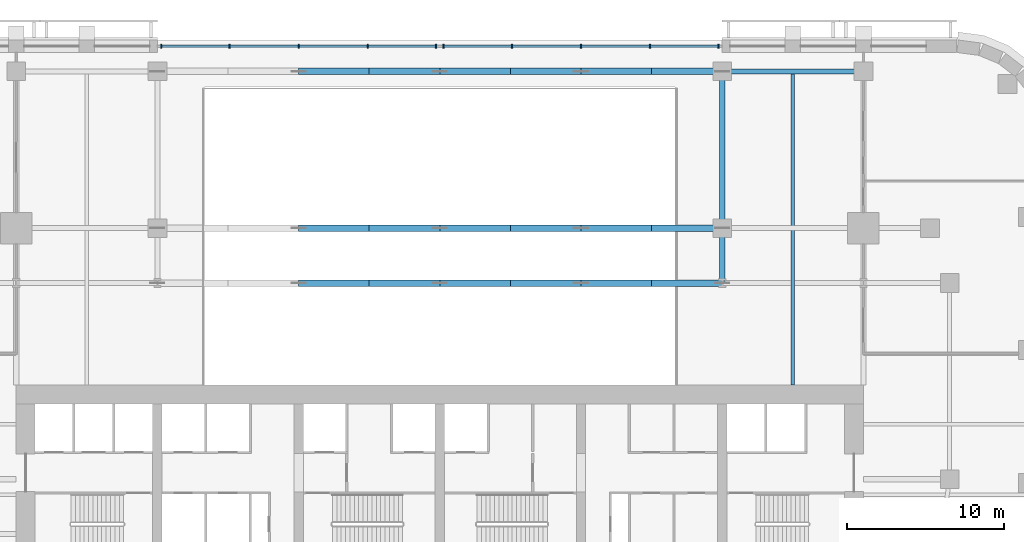
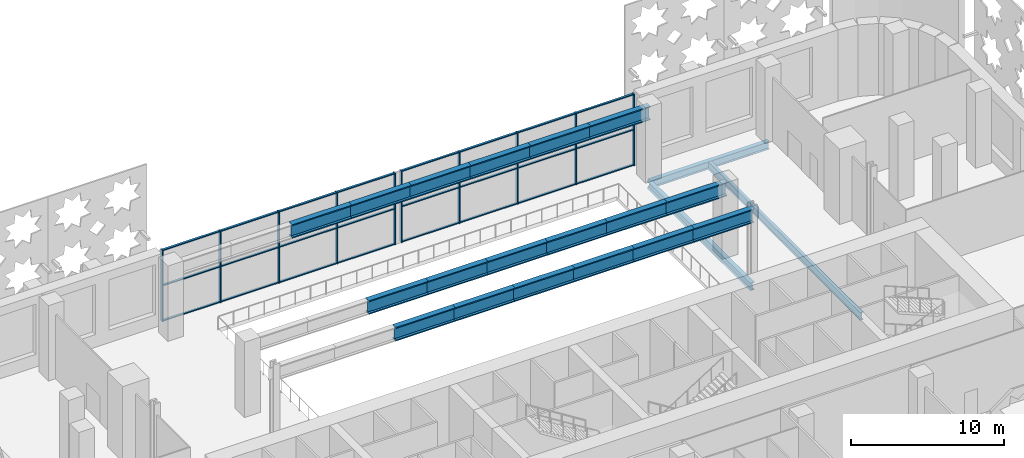
# One storey, part 2 of 17: 52 members, 3 beams, 2 elements without a shape of their own.
"""IFC4 building model written with IfcOpenShell, lengths in metres."""

import ifcopenshell
import ifcopenshell.guid

model = None  # the IFC model being written
_history = None  # IfcOwnerHistory: only IFC2X3 demands one
_inside = {}  # id of a spatial element -> (the spatial element, [elements in it])
_under = {}  # id of a project, library or spatial element -> (it, [spatial elements below it])
_declared = {}  # id of a project -> (the project, [libraries it declares])
_typed = {}  # id of a type object -> (the type object, [elements of that type])
_made_of = {}  # id of a material, layer set ... -> (it, [elements and type objects made of it])


def new_model(schema):
    """Start an empty IFC model of exactly this schema.

    Asked for "IFC4X3", IfcOpenShell would pick the latest addendum, in which some entities
    have other attributes; the version numbers below select the first issue.
    IFC2X3 requires an IfcOwnerHistory on every rooted entity: one is made here for all.
    """
    global model, _history
    if schema == "IFC4X3":
        model = ifcopenshell.file(schema_version=(4, 3, 0, 0))
    else:
        model = ifcopenshell.file(schema=schema)
    _inside.clear()
    _under.clear()
    _declared.clear()
    _typed.clear()
    _made_of.clear()
    _history = None
    if model.schema == "IFC2X3":
        org = make("IfcOrganization", Name="unknown")
        user = make(
            "IfcPersonAndOrganization",
            ThePerson=make("IfcPerson", FamilyName="unknown"),
            TheOrganization=org,
        )
        app = make(
            "IfcApplication",
            ApplicationDeveloper=org,
            Version="unknown",
            ApplicationFullName="unknown",
            ApplicationIdentifier="unknown",
        )
        _history = make(
            "IfcOwnerHistory",
            OwningUser=user,
            OwningApplication=app,
            ChangeAction="ADDED",
            CreationDate=0,
        )
    return model


def make(cls, **values):
    """One entity of the class cls with the attributes given. An attribute that is None is left unset."""
    return model.create_entity(
        cls, **{name: value for name, value in values.items() if value is not None}
    )


def rooted(cls, **values):
    """An entity with a GlobalId (a new one), such as an element, a storey or a relation."""
    return make(cls, GlobalId=ifcopenshell.guid.new(), OwnerHistory=_history, **values)


def si_unit(unit_type, name, prefix=None):
    """IfcSIUnit, for example si_unit("LENGTHUNIT", "METRE", prefix="MILLI")."""
    return make("IfcSIUnit", UnitType=unit_type, Prefix=prefix, Name=name)


def assignment(units):
    """IfcUnitAssignment: the units of a project."""
    return None if units is None else make("IfcUnitAssignment", Units=units)


def point(xyz):
    """IfcCartesianPoint."""
    return None if xyz is None else make("IfcCartesianPoint", Coordinates=xyz)


def direction(xyz):
    """IfcDirection."""
    return None if xyz is None else make("IfcDirection", DirectionRatios=xyz)


def frame(location, z_axis=None, x_axis=None):
    """IfcAxis2Placement3D, a coordinate frame: its origin and axes. An axis left out is left unset."""
    return make(
        "IfcAxis2Placement3D",
        Location=point(location),
        Axis=direction(z_axis),
        RefDirection=direction(x_axis),
    )


def frame_2d(location, x_axis=None):
    """IfcAxis2Placement2D, a coordinate frame in the plane: its origin and x axis."""
    return make(
        "IfcAxis2Placement2D", Location=point(location), RefDirection=direction(x_axis)
    )


def origin():
    """The frame at (0, 0, 0) with its axes left unset."""
    return frame((0.0, 0.0, 0.0))


def origin_2d():
    """The frame at (0, 0) in the plane with its x axis left unset."""
    return frame_2d((0.0, 0.0))


def place(relative_to, where):
    """IfcLocalPlacement: puts the frame where relative to a parent placement (None: the world)."""
    return make(
        "IfcLocalPlacement", PlacementRelTo=relative_to, RelativePlacement=where
    )


def context(
    kind, dimensions, precision=None, world=None, true_north=None, identifier=None
):
    """IfcGeometricRepresentationContext, for example the 3D "Model" context."""
    return make(
        "IfcGeometricRepresentationContext",
        ContextIdentifier=identifier,
        ContextType=kind,
        CoordinateSpaceDimension=dimensions,
        Precision=precision,
        WorldCoordinateSystem=world,
        TrueNorth=true_north,
    )


def subcontext(parent, identifier, kind, view, scale=None):
    """IfcGeometricRepresentationSubContext, for example "Body" below "Model"."""
    return make(
        "IfcGeometricRepresentationSubContext",
        ContextIdentifier=identifier,
        ContextType=kind,
        ParentContext=parent,
        TargetScale=scale,
        TargetView=view,
    )


def project(units=None, contexts=None):
    """IfcProject with its units and contexts."""
    return rooted(
        "IfcProject",
        Name="project",
        RepresentationContexts=contexts,
        UnitsInContext=assignment(units),
    )


def spatial(cls, under=None, at=None, **own):
    """A site, building, storey or space (cls), placed at a placement, below another one or the project."""
    s = rooted(cls, ObjectPlacement=at, **own)
    if under is not None:
        _under.setdefault(under.id(), (under, []))[1].append(s)
    return s


def profile(cls, at=None, kind="AREA", **sizes):
    """A parametric profile (cls). Its sizes go by their IFC names, for example OverallWidth=200.0."""
    return make(cls, ProfileType=kind, Position=at, **sizes)


def rectangle(**sizes):
    """IfcRectangleProfileDef."""
    return profile("IfcRectangleProfileDef", **sizes)


def i_section(**sizes):
    """IfcIShapeProfileDef."""
    return profile("IfcIShapeProfileDef", **sizes)


def extrude(swept, where, along, depth):
    """IfcExtrudedAreaSolid: the profile swept, set in the frame where, extruded along a direction by depth."""
    return make(
        "IfcExtrudedAreaSolid",
        SweptArea=swept,
        Position=where,
        ExtrudedDirection=direction(along),
        Depth=depth,
    )


def shape(context_of_items, identifier, shape_type, items):
    """IfcShapeRepresentation: the items that make up one representation, for example the "Body"."""
    return make(
        "IfcShapeRepresentation",
        ContextOfItems=context_of_items,
        RepresentationIdentifier=identifier,
        RepresentationType=shape_type,
        Items=items,
    )


def material(Name=None, Category=None):
    """IfcMaterial."""
    return make("IfcMaterial", Name=Name, Category=Category)


def material_profile(
    of_material, cross_section, Name=None, Category=None, Priority=None
):
    """IfcMaterialProfile: a cross section and its material."""
    return make(
        "IfcMaterialProfile",
        Name=Name,
        Material=of_material,
        Profile=cross_section,
        Priority=Priority,
        Category=Category,
    )


def profile_set(profiles, Name=None, composite=None):
    """IfcMaterialProfileSet."""
    return make(
        "IfcMaterialProfileSet",
        Name=Name,
        MaterialProfiles=profiles,
        CompositeProfile=composite,
    )


def made_of(thing, what):
    """Note that an element or type object is made of a material, layer set ...; save() writes the relation."""
    if what is not None:
        _made_of.setdefault(what.id(), (what, []))[1].append(thing)
    return thing


def type_object(cls, material=None, **own):
    """A type object (cls), such as IfcWallType, which elements share."""
    return made_of(rooted(cls, **own), material)


def element(
    cls,
    number,
    at=None,
    inside=None,
    cuts=None,
    type_object=None,
    material=None,
    context=None,
    identifier="Body",
    shape_type=None,
    held_by="IfcProductDefinitionShape",
    body=None,
    shapes=None,
    **own,
):
    """One element of the class cls, such as IfcWall. Its Tag is "e" and its number.

    at: its placement. inside: the storey or other place that contains it. cuts: it is an
    opening in that element (IfcRelVoidsElement). A single representation is given by context,
    identifier, shape_type and body (its items); several are given by shapes. held_by: the class
    of the entity that holds the representations. save() writes the other relations.
    """
    e = rooted(cls, Tag="e%d" % number, ObjectPlacement=at, **own)
    if body is not None:
        shapes = [shape(context, identifier, shape_type, body)]
    if shapes is not None:
        e.Representation = make(held_by, Representations=shapes)
    if inside is not None:
        _inside.setdefault(inside.id(), (inside, []))[1].append(e)
    if cuts is not None:
        rooted(
            "IfcRelVoidsElement", RelatingBuildingElement=cuts, RelatedOpeningElement=e
        )
    if type_object is not None:
        _typed.setdefault(type_object.id(), (type_object, []))[1].append(e)
    return made_of(e, material)


def aggregate(whole, parts):
    """IfcRelAggregates: a whole, such as a stair, and the parts it consists of."""
    return rooted("IfcRelAggregates", RelatingObject=whole, RelatedObjects=parts)


def save(model, path):
    """Write the relations noted so far, then the file.

    IfcRelAggregates (storeys below a building ...), IfcRelContainedInSpatialStructure (elements
    in a storey), IfcRelDefinesByType, IfcRelAssociatesMaterial and IfcRelDeclares: one each for
    every whole, place, type object, material and project.
    """
    for whole, parts in _under.values():
        aggregate(whole, parts)
    for where, things in _inside.values():
        rooted(
            "IfcRelContainedInSpatialStructure",
            RelatedElements=things,
            RelatingStructure=where,
        )
    for kind, things in _typed.values():
        rooted("IfcRelDefinesByType", RelatedObjects=things, RelatingType=kind)
    for what, things in _made_of.values():
        rooted("IfcRelAssociatesMaterial", RelatedObjects=things, RelatingMaterial=what)
    for by, libraries in _declared.values():
        rooted("IfcRelDeclares", RelatingContext=by, RelatedDefinitions=libraries)
    model.write(path)


model = new_model("IFC4")

# Units and contexts
model_context = context("Model", 3, precision=1e-05, world=origin(), true_north=direction((0.0, 1.0)))
body_context = subcontext(model_context, "Body", "Model", "MODEL_VIEW")
ifc_project = project(units=[si_unit("LENGTHUNIT", "METRE"), si_unit("AREAUNIT", "SQUARE_METRE"), si_unit("VOLUMEUNIT", "CUBIC_METRE"), si_unit("PLANEANGLEUNIT", "RADIAN"), si_unit("MASSUNIT", "GRAM", prefix="KILO")], contexts=[model_context])

# Site, building, storey
site_placement = place(None, origin())
site = spatial("IfcSite", under=ifc_project, at=site_placement, CompositionType="ELEMENT")
building_placement = place(site_placement, origin())
building = spatial("IfcBuilding", under=site, at=building_placement, Name="Zellij Exchange Tower", CompositionType="ELEMENT")
storey_placement = place(building_placement, frame((0.0, 0.0, 21.0)))
storey = spatial("IfcBuildingStorey", under=building, at=storey_placement, Name="L03", CompositionType="ELEMENT", Elevation=21.0)

# Curtain wall, members
ifc_material_1 = material(Name="Aluminium frame, clear insulating glass", Category="aluminium")
curtain_wall_type = type_object("IfcCurtainWallType", Name="ENV-CW3 Exchange-hall glazing", PredefinedType="NOTDEFINED", material=ifc_material_1)
curtain_wall_1_placement = place(storey_placement, origin())
curtain_wall_1 = element("IfcCurtainWall", 1, at=curtain_wall_1_placement, inside=storey, type_object=curtain_wall_type, Name="cw.L03.14b", PredefinedType="NOTDEFINED")
ifc_material_2 = material(Name="Aluminium", Category="aluminium")
ifc_material_profile_1 = material_profile(ifc_material_2, rectangle(XDim=0.080078125, YDim=0.25, at=origin_2d()), Name="AL 80x250")
ifc_profile_set_1 = profile_set([ifc_material_profile_1], Name="Aluminium")
member_type_1 = type_object("IfcMemberType", Name="ENV-CW3M Mullion 80x250", PredefinedType="MULLION", material=ifc_profile_set_1)
member_1_placement = place(storey_placement, frame((17.760009765625, 19.60009765625, 0.0), z_axis=(0.0, 0.0, 1.0), x_axis=(-1.0, 0.0, 0.0)))
member_1 = element("IfcMember", 2, at=member_1_placement, type_object=member_type_1, Name="CW3 mullion 1", PredefinedType="MULLION", context=body_context, shape_type="SweptSolid", body=[
    extrude(rectangle(XDim=0.080078125, YDim=0.25, at=origin_2d()), origin(), (0.0, 0.0, 1.0), 5.699951171875),
])
member_2_placement = place(storey_placement, frame((13.39990234375, 19.60009765625, 0.0), z_axis=(0.0, 0.0, 1.0), x_axis=(-1.0, 0.0, 0.0)))
member_2 = element("IfcMember", 3, at=member_2_placement, type_object=member_type_1, Name="CW3 mullion 2", PredefinedType="MULLION", context=body_context, shape_type="SweptSolid", body=[
    extrude(rectangle(XDim=0.080078125, YDim=0.25, at=origin_2d()), origin(), (0.0, 0.0, 1.0), 5.699951171875),
])
member_3_placement = place(storey_placement, frame((9.0, 19.60009765625, 0.0), z_axis=(0.0, 0.0, 1.0), x_axis=(-1.0, 0.0, 0.0)))
member_3 = element("IfcMember", 4, at=member_3_placement, type_object=member_type_1, Name="CW3 mullion 3", PredefinedType="MULLION", context=body_context, shape_type="SweptSolid", body=[
    extrude(rectangle(XDim=0.080078125, YDim=0.25, at=origin_2d()), origin(), (0.0, 0.0, 1.0), 5.699951171875),
])
member_4_placement = place(storey_placement, frame((4.60009765625, 19.60009765625, 0.0), z_axis=(0.0, 0.0, 1.0), x_axis=(-1.0, 0.0, 0.0)))
member_4 = element("IfcMember", 5, at=member_4_placement, type_object=member_type_1, Name="CW3 mullion 4", PredefinedType="MULLION", context=body_context, shape_type="SweptSolid", body=[
    extrude(rectangle(XDim=0.080078125, YDim=0.25, at=origin_2d()), origin(), (0.0, 0.0, 1.0), 5.699951171875),
])
member_5_placement = place(storey_placement, frame((0.239990234375, 19.60009765625, 0.0), z_axis=(0.0, 0.0, 1.0), x_axis=(-1.0, 0.0, 0.0)))
member_5 = element("IfcMember", 6, at=member_5_placement, type_object=member_type_1, Name="CW3 mullion 5", PredefinedType="MULLION", context=body_context, shape_type="SweptSolid", body=[
    extrude(rectangle(XDim=0.080078125, YDim=0.25, at=origin_2d()), origin(), (0.0, 0.0, 1.0), 5.699951171875),
])

curtain_wall_2_placement = place(storey_placement, origin())
curtain_wall_2 = element("IfcCurtainWall", 7, at=curtain_wall_2_placement, inside=storey, type_object=curtain_wall_type, Name="cw.L03.14c", PredefinedType="NOTDEFINED")
member_6_placement = place(storey_placement, frame((-0.239990234375, 19.60009765625, 0.0), z_axis=(0.0, 0.0, 1.0), x_axis=(-1.0, 0.0, 0.0)))
member_6 = element("IfcMember", 8, at=member_6_placement, type_object=member_type_1, Name="CW3 mullion 1", PredefinedType="MULLION", context=body_context, shape_type="SweptSolid", body=[
    extrude(rectangle(XDim=0.080078125, YDim=0.25, at=origin_2d()), origin(), (0.0, 0.0, 1.0), 5.699951171875),
])
member_7_placement = place(storey_placement, frame((-4.60009765625, 19.60009765625, 0.0), z_axis=(0.0, 0.0, 1.0), x_axis=(-1.0, 0.0, 0.0)))
member_7 = element("IfcMember", 9, at=member_7_placement, type_object=member_type_1, Name="CW3 mullion 2", PredefinedType="MULLION", context=body_context, shape_type="SweptSolid", body=[
    extrude(rectangle(XDim=0.080078125, YDim=0.25, at=origin_2d()), origin(), (0.0, 0.0, 1.0), 5.699951171875),
])
member_8_placement = place(storey_placement, frame((-9.0, 19.60009765625, 0.0), z_axis=(0.0, 0.0, 1.0), x_axis=(-1.0, 0.0, 0.0)))
member_8 = element("IfcMember", 10, at=member_8_placement, type_object=member_type_1, Name="CW3 mullion 3", PredefinedType="MULLION", context=body_context, shape_type="SweptSolid", body=[
    extrude(rectangle(XDim=0.080078125, YDim=0.25, at=origin_2d()), origin(), (0.0, 0.0, 1.0), 5.699951171875),
])
member_9_placement = place(storey_placement, frame((-13.39990234375, 19.60009765625, 0.0), z_axis=(0.0, 0.0, 1.0), x_axis=(-1.0, 0.0, 0.0)))
member_9 = element("IfcMember", 11, at=member_9_placement, type_object=member_type_1, Name="CW3 mullion 4", PredefinedType="MULLION", context=body_context, shape_type="SweptSolid", body=[
    extrude(rectangle(XDim=0.080078125, YDim=0.25, at=origin_2d()), origin(), (0.0, 0.0, 1.0), 5.699951171875),
])
member_10_placement = place(storey_placement, frame((-17.760009765625, 19.60009765625, 0.0), z_axis=(0.0, 0.0, 1.0), x_axis=(-1.0, 0.0, 0.0)))
member_10 = element("IfcMember", 12, at=member_10_placement, type_object=member_type_1, Name="CW3 mullion 5", PredefinedType="MULLION", context=body_context, shape_type="SweptSolid", body=[
    extrude(rectangle(XDim=0.080078125, YDim=0.25, at=origin_2d()), origin(), (0.0, 0.0, 1.0), 5.699951171875),
])

# Member
ifc_material_profile_2 = material_profile(ifc_material_2, rectangle(XDim=0.159912109375, YDim=0.080078125, at=origin_2d()), Name="AL 160x80")
ifc_profile_set_2 = profile_set([ifc_material_profile_2], Name="Aluminium")
member_type_2 = type_object("IfcMemberType", Name="ENV-CW3T Transom 160x80", PredefinedType="USERDEFINED", material=ifc_profile_set_2)
member_11_placement = place(storey_placement, frame((17.719970703125, 19.60009765625, 0.0400390625), z_axis=(-1.0, 0.0, 0.0), x_axis=(0.0, -1.0, 0.0)))
member_11 = element("IfcMember", 13, at=member_11_placement, type_object=member_type_2, Name="CW3 transom 1.1", ObjectType="TRANSOM", PredefinedType="USERDEFINED", context=body_context, shape_type="SweptSolid", body=[
    extrude(rectangle(XDim=0.159912109375, YDim=0.080078125, at=origin_2d()), origin(), (0.0, 0.0, 1.0), 4.280029296875),
])

member_12_placement = place(storey_placement, frame((17.719970703125, 19.60009765625, 2.85009765625), z_axis=(-1.0, 0.0, 0.0), x_axis=(0.0, -1.0, 0.0)))
member_12 = element("IfcMember", 14, at=member_12_placement, type_object=member_type_2, Name="CW3 transom 1.2", ObjectType="TRANSOM", PredefinedType="USERDEFINED", context=body_context, shape_type="SweptSolid", body=[
    extrude(rectangle(XDim=0.159912109375, YDim=0.080078125, at=origin_2d()), origin(), (0.0, 0.0, 1.0), 4.280029296875),
])

member_13_placement = place(storey_placement, frame((17.719970703125, 19.60009765625, 5.659912109375), z_axis=(-1.0, 0.0, 0.0), x_axis=(0.0, -1.0, 0.0)))
member_13 = element("IfcMember", 15, at=member_13_placement, type_object=member_type_2, Name="CW3 transom 1.3", ObjectType="TRANSOM", PredefinedType="USERDEFINED", context=body_context, shape_type="SweptSolid", body=[
    extrude(rectangle(XDim=0.159912109375, YDim=0.080078125, at=origin_2d()), origin(), (0.0, 0.0, 1.0), 4.280029296875),
])

member_14_placement = place(storey_placement, frame((13.360107421875, 19.60009765625, 0.0400390625), z_axis=(-1.0, 0.0, 0.0), x_axis=(0.0, -1.0, 0.0)))
member_14 = element("IfcMember", 16, at=member_14_placement, type_object=member_type_2, Name="CW3 transom 2.1", ObjectType="TRANSOM", PredefinedType="USERDEFINED", context=body_context, shape_type="SweptSolid", body=[
    extrude(rectangle(XDim=0.159912109375, YDim=0.080078125, at=origin_2d()), origin(), (0.0, 0.0, 1.0), 4.320068359375),
])

member_15_placement = place(storey_placement, frame((13.360107421875, 19.60009765625, 2.85009765625), z_axis=(-1.0, 0.0, 0.0), x_axis=(0.0, -1.0, 0.0)))
member_15 = element("IfcMember", 17, at=member_15_placement, type_object=member_type_2, Name="CW3 transom 2.2", ObjectType="TRANSOM", PredefinedType="USERDEFINED", context=body_context, shape_type="SweptSolid", body=[
    extrude(rectangle(XDim=0.159912109375, YDim=0.080078125, at=origin_2d()), origin(), (0.0, 0.0, 1.0), 4.320068359375),
])

member_16_placement = place(storey_placement, frame((13.360107421875, 19.60009765625, 5.659912109375), z_axis=(-1.0, 0.0, 0.0), x_axis=(0.0, -1.0, 0.0)))
member_16 = element("IfcMember", 18, at=member_16_placement, type_object=member_type_2, Name="CW3 transom 2.3", ObjectType="TRANSOM", PredefinedType="USERDEFINED", context=body_context, shape_type="SweptSolid", body=[
    extrude(rectangle(XDim=0.159912109375, YDim=0.080078125, at=origin_2d()), origin(), (0.0, 0.0, 1.0), 4.320068359375),
])

member_17_placement = place(storey_placement, frame((8.9599609375, 19.60009765625, 0.0400390625), z_axis=(-1.0, 0.0, 0.0), x_axis=(0.0, -1.0, 0.0)))
member_17 = element("IfcMember", 19, at=member_17_placement, type_object=member_type_2, Name="CW3 transom 3.1", ObjectType="TRANSOM", PredefinedType="USERDEFINED", context=body_context, shape_type="SweptSolid", body=[
    extrude(rectangle(XDim=0.159912109375, YDim=0.080078125, at=origin_2d()), origin(), (0.0, 0.0, 1.0), 4.320068359375),
])

member_18_placement = place(storey_placement, frame((8.9599609375, 19.60009765625, 2.85009765625), z_axis=(-1.0, 0.0, 0.0), x_axis=(0.0, -1.0, 0.0)))
member_18 = element("IfcMember", 20, at=member_18_placement, type_object=member_type_2, Name="CW3 transom 3.2", ObjectType="TRANSOM", PredefinedType="USERDEFINED", context=body_context, shape_type="SweptSolid", body=[
    extrude(rectangle(XDim=0.159912109375, YDim=0.080078125, at=origin_2d()), origin(), (0.0, 0.0, 1.0), 4.320068359375),
])

member_19_placement = place(storey_placement, frame((8.9599609375, 19.60009765625, 5.659912109375), z_axis=(-1.0, 0.0, 0.0), x_axis=(0.0, -1.0, 0.0)))
member_19 = element("IfcMember", 21, at=member_19_placement, type_object=member_type_2, Name="CW3 transom 3.3", ObjectType="TRANSOM", PredefinedType="USERDEFINED", context=body_context, shape_type="SweptSolid", body=[
    extrude(rectangle(XDim=0.159912109375, YDim=0.080078125, at=origin_2d()), origin(), (0.0, 0.0, 1.0), 4.320068359375),
])

member_20_placement = place(storey_placement, frame((4.56005859375, 19.60009765625, 0.0400390625), z_axis=(-1.0, 0.0, 0.0), x_axis=(0.0, -1.0, 0.0)))
member_20 = element("IfcMember", 22, at=member_20_placement, type_object=member_type_2, Name="CW3 transom 4.1", ObjectType="TRANSOM", PredefinedType="USERDEFINED", context=body_context, shape_type="SweptSolid", body=[
    extrude(rectangle(XDim=0.159912109375, YDim=0.080078125, at=origin_2d()), origin(), (0.0, 0.0, 1.0), 4.280029296875),
])

member_21_placement = place(storey_placement, frame((4.56005859375, 19.60009765625, 2.85009765625), z_axis=(-1.0, 0.0, 0.0), x_axis=(0.0, -1.0, 0.0)))
member_21 = element("IfcMember", 23, at=member_21_placement, type_object=member_type_2, Name="CW3 transom 4.2", ObjectType="TRANSOM", PredefinedType="USERDEFINED", context=body_context, shape_type="SweptSolid", body=[
    extrude(rectangle(XDim=0.159912109375, YDim=0.080078125, at=origin_2d()), origin(), (0.0, 0.0, 1.0), 4.280029296875),
])

member_22_placement = place(storey_placement, frame((4.56005859375, 19.60009765625, 5.659912109375), z_axis=(-1.0, 0.0, 0.0), x_axis=(0.0, -1.0, 0.0)))
member_22 = element("IfcMember", 24, at=member_22_placement, type_object=member_type_2, Name="CW3 transom 4.3", ObjectType="TRANSOM", PredefinedType="USERDEFINED", context=body_context, shape_type="SweptSolid", body=[
    extrude(rectangle(XDim=0.159912109375, YDim=0.080078125, at=origin_2d()), origin(), (0.0, 0.0, 1.0), 4.280029296875),
])

aggregate(curtain_wall_1, [member_1, member_2, member_3, member_4, member_5, member_11, member_12, member_13, member_14, member_15, member_16, member_17, member_18, member_19, member_20, member_21, member_22])

member_23_placement = place(storey_placement, frame((-0.280029296875, 19.60009765625, 0.0400390625), z_axis=(-1.0, 0.0, 0.0), x_axis=(0.0, -1.0, 0.0)))
member_23 = element("IfcMember", 25, at=member_23_placement, type_object=member_type_2, Name="CW3 transom 1.1", ObjectType="TRANSOM", PredefinedType="USERDEFINED", context=body_context, shape_type="SweptSolid", body=[
    extrude(rectangle(XDim=0.159912109375, YDim=0.080078125, at=origin_2d()), origin(), (0.0, 0.0, 1.0), 4.280029296875),
])

member_24_placement = place(storey_placement, frame((-0.280029296875, 19.60009765625, 2.85009765625), z_axis=(-1.0, 0.0, 0.0), x_axis=(0.0, -1.0, 0.0)))
member_24 = element("IfcMember", 26, at=member_24_placement, type_object=member_type_2, Name="CW3 transom 1.2", ObjectType="TRANSOM", PredefinedType="USERDEFINED", context=body_context, shape_type="SweptSolid", body=[
    extrude(rectangle(XDim=0.159912109375, YDim=0.080078125, at=origin_2d()), origin(), (0.0, 0.0, 1.0), 4.280029296875),
])

member_25_placement = place(storey_placement, frame((-0.280029296875, 19.60009765625, 5.659912109375), z_axis=(-1.0, 0.0, 0.0), x_axis=(0.0, -1.0, 0.0)))
member_25 = element("IfcMember", 27, at=member_25_placement, type_object=member_type_2, Name="CW3 transom 1.3", ObjectType="TRANSOM", PredefinedType="USERDEFINED", context=body_context, shape_type="SweptSolid", body=[
    extrude(rectangle(XDim=0.159912109375, YDim=0.080078125, at=origin_2d()), origin(), (0.0, 0.0, 1.0), 4.280029296875),
])

member_26_placement = place(storey_placement, frame((-4.639892578125, 19.60009765625, 0.0400390625), z_axis=(-1.0, 0.0, 0.0), x_axis=(0.0, -1.0, 0.0)))
member_26 = element("IfcMember", 28, at=member_26_placement, type_object=member_type_2, Name="CW3 transom 2.1", ObjectType="TRANSOM", PredefinedType="USERDEFINED", context=body_context, shape_type="SweptSolid", body=[
    extrude(rectangle(XDim=0.159912109375, YDim=0.080078125, at=origin_2d()), origin(), (0.0, 0.0, 1.0), 4.320068359375),
])

member_27_placement = place(storey_placement, frame((-4.639892578125, 19.60009765625, 2.85009765625), z_axis=(-1.0, 0.0, 0.0), x_axis=(0.0, -1.0, 0.0)))
member_27 = element("IfcMember", 29, at=member_27_placement, type_object=member_type_2, Name="CW3 transom 2.2", ObjectType="TRANSOM", PredefinedType="USERDEFINED", context=body_context, shape_type="SweptSolid", body=[
    extrude(rectangle(XDim=0.159912109375, YDim=0.080078125, at=origin_2d()), origin(), (0.0, 0.0, 1.0), 4.320068359375),
])

member_28_placement = place(storey_placement, frame((-4.639892578125, 19.60009765625, 5.659912109375), z_axis=(-1.0, 0.0, 0.0), x_axis=(0.0, -1.0, 0.0)))
member_28 = element("IfcMember", 30, at=member_28_placement, type_object=member_type_2, Name="CW3 transom 2.3", ObjectType="TRANSOM", PredefinedType="USERDEFINED", context=body_context, shape_type="SweptSolid", body=[
    extrude(rectangle(XDim=0.159912109375, YDim=0.080078125, at=origin_2d()), origin(), (0.0, 0.0, 1.0), 4.320068359375),
])

member_29_placement = place(storey_placement, frame((-9.0400390625, 19.60009765625, 0.0400390625), z_axis=(-1.0, 0.0, 0.0), x_axis=(0.0, -1.0, 0.0)))
member_29 = element("IfcMember", 31, at=member_29_placement, type_object=member_type_2, Name="CW3 transom 3.1", ObjectType="TRANSOM", PredefinedType="USERDEFINED", context=body_context, shape_type="SweptSolid", body=[
    extrude(rectangle(XDim=0.159912109375, YDim=0.080078125, at=origin_2d()), origin(), (0.0, 0.0, 1.0), 4.320068359375),
])

member_30_placement = place(storey_placement, frame((-9.0400390625, 19.60009765625, 2.85009765625), z_axis=(-1.0, 0.0, 0.0), x_axis=(0.0, -1.0, 0.0)))
member_30 = element("IfcMember", 32, at=member_30_placement, type_object=member_type_2, Name="CW3 transom 3.2", ObjectType="TRANSOM", PredefinedType="USERDEFINED", context=body_context, shape_type="SweptSolid", body=[
    extrude(rectangle(XDim=0.159912109375, YDim=0.080078125, at=origin_2d()), origin(), (0.0, 0.0, 1.0), 4.320068359375),
])

member_31_placement = place(storey_placement, frame((-9.0400390625, 19.60009765625, 5.659912109375), z_axis=(-1.0, 0.0, 0.0), x_axis=(0.0, -1.0, 0.0)))
member_31 = element("IfcMember", 33, at=member_31_placement, type_object=member_type_2, Name="CW3 transom 3.3", ObjectType="TRANSOM", PredefinedType="USERDEFINED", context=body_context, shape_type="SweptSolid", body=[
    extrude(rectangle(XDim=0.159912109375, YDim=0.080078125, at=origin_2d()), origin(), (0.0, 0.0, 1.0), 4.320068359375),
])

member_32_placement = place(storey_placement, frame((-13.43994140625, 19.60009765625, 0.0400390625), z_axis=(-1.0, 0.0, 0.0), x_axis=(0.0, -1.0, 0.0)))
member_32 = element("IfcMember", 34, at=member_32_placement, type_object=member_type_2, Name="CW3 transom 4.1", ObjectType="TRANSOM", PredefinedType="USERDEFINED", context=body_context, shape_type="SweptSolid", body=[
    extrude(rectangle(XDim=0.159912109375, YDim=0.080078125, at=origin_2d()), origin(), (0.0, 0.0, 1.0), 4.280029296875),
])

member_33_placement = place(storey_placement, frame((-13.43994140625, 19.60009765625, 2.85009765625), z_axis=(-1.0, 0.0, 0.0), x_axis=(0.0, -1.0, 0.0)))
member_33 = element("IfcMember", 35, at=member_33_placement, type_object=member_type_2, Name="CW3 transom 4.2", ObjectType="TRANSOM", PredefinedType="USERDEFINED", context=body_context, shape_type="SweptSolid", body=[
    extrude(rectangle(XDim=0.159912109375, YDim=0.080078125, at=origin_2d()), origin(), (0.0, 0.0, 1.0), 4.280029296875),
])

member_34_placement = place(storey_placement, frame((-13.43994140625, 19.60009765625, 5.659912109375), z_axis=(-1.0, 0.0, 0.0), x_axis=(0.0, -1.0, 0.0)))
member_34 = element("IfcMember", 36, at=member_34_placement, type_object=member_type_2, Name="CW3 transom 4.3", ObjectType="TRANSOM", PredefinedType="USERDEFINED", context=body_context, shape_type="SweptSolid", body=[
    extrude(rectangle(XDim=0.159912109375, YDim=0.080078125, at=origin_2d()), origin(), (0.0, 0.0, 1.0), 4.280029296875),
])

aggregate(curtain_wall_2, [member_6, member_7, member_8, member_9, member_10, member_23, member_24, member_25, member_26, member_27, member_28, member_29, member_30, member_31, member_32, member_33, member_34])

# Beams
ifc_material_3 = material(Name="Structural steel ASTM A992 Gr 50", Category="steel")
ifc_material_profile_3 = material_profile(ifc_material_3, i_section(OverallWidth=0.22900390625, OverallDepth=0.612060546875, WebThickness=0.011962890625, FlangeThickness=0.01953125, at=origin_2d()), Name="W24x84")
ifc_profile_set_3 = profile_set([ifc_material_profile_3], Name="Structural steel ASTM A992 Gr 50")
beam_type_1 = type_object("IfcBeamType", Name="STR-BEAM W24x84", PredefinedType="BEAM", material=ifc_profile_set_3)
beam_1_placement = place(storey_placement, frame((22.5, -2.0, -0.606201171875), z_axis=(0.0, 1.0, 0.0), x_axis=(-1.0, 0.0, 0.0)))
element("IfcBeam", 37, at=beam_1_placement, inside=storey, type_object=beam_type_1, Name="B6", PredefinedType="BEAM", context=body_context, shape_type="SweptSolid", body=[
    extrude(i_section(OverallWidth=0.22900390625, OverallDepth=0.612060546875, WebThickness=0.011962890625, FlangeThickness=0.01953125, at=origin_2d()), origin(), (0.0, 0.0, 1.0), 20.16259765625),
])
ifc_material_profile_4 = material_profile(ifc_material_3, i_section(OverallWidth=0.3251953125, OverallDepth=0.612060546875, WebThickness=0.0126953125, FlangeThickness=0.01904296875, at=origin_2d()), Name="W24x104")
ifc_profile_set_4 = profile_set([ifc_material_profile_4], Name="Structural steel ASTM A992 Gr 50")
beam_type_2 = type_object("IfcBeamType", Name="STR-GIRDER W24x104", PredefinedType="BEAM", material=ifc_profile_set_4)
beam_2_placement = place(storey_placement, frame((18.0, 18.0, -0.606201171875), z_axis=(1.0, 0.0, 0.0), x_axis=(0.0, 1.0, 0.0)))
element("IfcBeam", 38, at=beam_2_placement, inside=storey, type_object=beam_type_2, Name="G3", PredefinedType="BEAM", context=body_context, shape_type="SweptSolid", body=[
    extrude(i_section(OverallWidth=0.3251953125, OverallDepth=0.612060546875, WebThickness=0.0126953125, FlangeThickness=0.01904296875, at=origin_2d()), origin(), (0.0, 0.0, 1.0), 9.0),
])
beam_3_placement = place(storey_placement, frame((18.0, 4.5, -0.606201171875), z_axis=(0.0, 1.0, 0.0), x_axis=(-1.0, 0.0, 0.0)))
element("IfcBeam", 39, at=beam_3_placement, inside=storey, type_object=beam_type_2, Name="G3", PredefinedType="BEAM", context=body_context, shape_type="SweptSolid", body=[
    extrude(i_section(OverallWidth=0.3251953125, OverallDepth=0.612060546875, WebThickness=0.0126953125, FlangeThickness=0.01904296875, at=origin_2d()), origin(), (0.0, 0.0, 1.0), 13.5),
])

# Members
ifc_material_4 = material(Name="Structural steel ASTM A913 Gr 65", Category="steel")
ifc_material_profile_5 = material_profile(ifc_material_4, i_section(OverallWidth=0.424072265625, OverallDepth=1.09228515625, WebThickness=0.04541015625, FlangeThickness=0.08203125, at=origin_2d()), Name="W40x593")
ifc_profile_set_5 = profile_set([ifc_material_profile_5], Name="Structural steel ASTM A913 Gr 65")
member_type_3 = type_object("IfcMemberType", Name="STR-PODIUM TRANSFER TRUSS CHORD W40x593", PredefinedType="CHORD", material=ifc_profile_set_5)
for number, where, z_axis, x_axis, name in (
    (40, (-9.0, 4.5, 5.15380859375), (1.0, 0.0, 0.0), (0.0, 1.0, 0.0), "PT1"),
    (41, (-4.5, 4.5, 5.15380859375), (1.0, 0.0, 0.0), (0.0, 1.0, 0.0), "PT1"),
    (42, (0.0, 4.5, 5.15380859375), (1.0, 0.0, 0.0), (0.0, 1.0, 0.0), "PT1"),
    (43, (4.5, 4.5, 5.15380859375), (1.0, 0.0, 0.0), (0.0, 1.0, 0.0), "PT1"),
    (44, (9.0, 4.5, 5.15380859375), (1.0, 0.0, 0.0), (0.0, 1.0, 0.0), "PT1"),
    (45, (13.5, 4.5, 5.15380859375), (1.0, 0.0, 0.0), (0.0, 1.0, 0.0), "PT1"),
    (46, (-9.0, 8.0, 5.15380859375), (1.0, 0.0, 0.0), (0.0, 1.0, 0.0), "PT1"),
    (47, (-4.5, 8.0, 5.15380859375), (1.0, 0.0, 0.0), (0.0, 1.0, 0.0), "PT1"),
    (48, (0.0, 8.0, 5.15380859375), (1.0, 0.0, 0.0), (0.0, 1.0, 0.0), "PT1"),
    (49, (4.5, 8.0, 5.15380859375), (1.0, 0.0, 0.0), (0.0, 1.0, 0.0), "PT1"),
    (50, (9.0, 8.0, 5.15380859375), (1.0, 0.0, 0.0), (0.0, 1.0, 0.0), "PT1"),
    (51, (13.5, 8.0, 5.15380859375), (1.0, 0.0, 0.0), (0.0, 1.0, 0.0), "PT1"),
    (52, (-9.0, 18.0, 5.15380859375), (1.0, 0.0, 0.0), (0.0, 1.0, 0.0), "PT1"),
    (53, (-4.5, 18.0, 5.15380859375), (1.0, 0.0, 0.0), (0.0, 1.0, 0.0), "PT1"),
    (54, (0.0, 18.0, 5.15380859375), (1.0, 0.0, 0.0), (0.0, 1.0, 0.0), "PT1"),
    (55, (4.5, 18.0, 5.15380859375), (1.0, 0.0, 0.0), (0.0, 1.0, 0.0), "PT1"),
    (56, (9.0, 18.0, 5.15380859375), (1.0, 0.0, 0.0), (0.0, 1.0, 0.0), "PT1"),
    (57, (13.5, 18.0, 5.15380859375), (1.0, 0.0, 0.0), (0.0, 1.0, 0.0), "PT1"),
):
    element("IfcMember", number, at=place(storey_placement, frame(where, z_axis=z_axis, x_axis=x_axis)), inside=storey, type_object=member_type_3, Name=name, PredefinedType="CHORD", context=body_context, shape_type="SweptSolid", body=[
        extrude(i_section(OverallWidth=0.424072265625, OverallDepth=1.09228515625, WebThickness=0.04541015625, FlangeThickness=0.08203125, at=origin_2d()), origin(), (0.0, 0.0, 1.0), 4.5),
    ])

save(model, "model.ifc")
